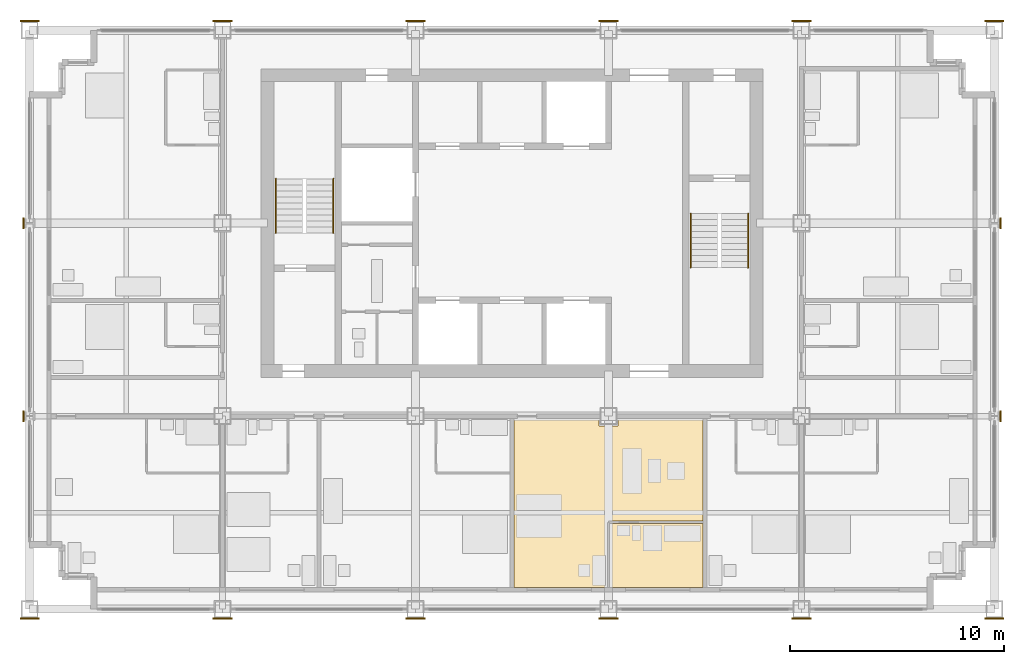
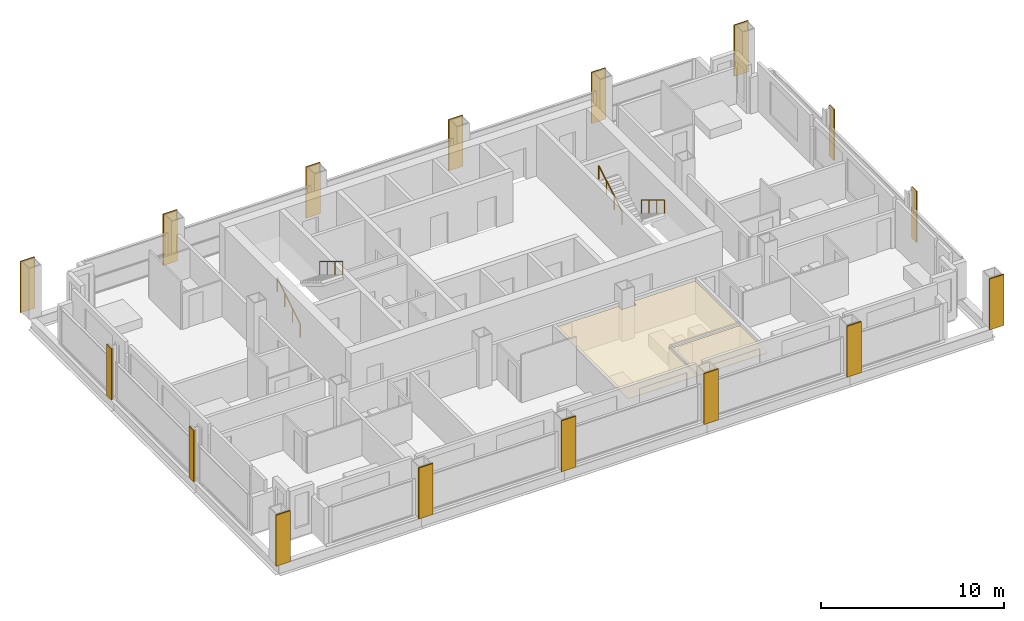
# One storey, part 11 of 13: 18 coverings, 4 railings.
"""IFC4 building model written with IfcOpenShell, lengths in metres."""

from ifc_helpers import new_model, si_unit, direction, frame, origin, origin_2d, place, context, subcontext, project, spatial, polyline, rectangle, circle, outline, extrude, material, layer, layer_set, type_object, element, save


model = new_model("IFC4")

# Units and contexts
model_context = context("Model", 3, precision=1e-05, world=origin(), true_north=direction((0.0, 1.0)))
body_context = subcontext(model_context, "Body", "Model", "MODEL_VIEW")
ifc_project = project(units=[si_unit("LENGTHUNIT", "METRE"), si_unit("AREAUNIT", "SQUARE_METRE"), si_unit("VOLUMEUNIT", "CUBIC_METRE"), si_unit("PLANEANGLEUNIT", "RADIAN"), si_unit("MASSUNIT", "GRAM", prefix="KILO")], contexts=[model_context])

# Site, building, storey
site_placement = place(None, origin())
site = spatial("IfcSite", under=ifc_project, at=site_placement, CompositionType="ELEMENT")
building_placement = place(site_placement, origin())
building = spatial("IfcBuilding", under=site, at=building_placement, Name="Loomwork Tower", CompositionType="ELEMENT")
storey_placement = place(building_placement, frame((0.0, 0.0, 208.0)))
storey = spatial("IfcBuildingStorey", under=building, at=storey_placement, Name="L57", CompositionType="ELEMENT", Elevation=208.0)

# Railings
ifc_material_1 = material(Name="Stainless steel handrail", Category="steel")
railing_type = type_object("IfcRailingType", Name="Handrail 900", PredefinedType="HANDRAIL", material=ifc_material_1)
railing_1_placement = place(storey_placement, frame((11.485107421875, 17.550048828125, 0.169921875)))
element("IfcRailing", 1, at=railing_1_placement, inside=storey, type_object=railing_type, Name="Stair A handrail flight 1 L57", PredefinedType="HANDRAIL", context=body_context, shape_type="SweptSolid", body=[
    extrude(circle(Radius=0.02392578125, at=origin_2d()), frame((0.0, 0.0, 0.8759765625), z_axis=(0.0, 0.85478489116, 0.518982456201), x_axis=(-1.0, 0.0, 0.0)), (0.0, 0.0, 1.0), 2.9482421875),
    extrude(circle(Radius=0.02099609375, at=origin_2d()), origin(), (0.0, 0.0, 1.0), 0.851806640625),
    extrude(circle(Radius=0.02099609375, at=origin_2d()), frame((0.0, 0.840087890625, 0.510009765625)), (0.0, 0.0, 1.0), 0.851806640625),
    extrude(circle(Radius=0.02099609375, at=origin_2d()), frame((0.0, 1.679931640625, 1.02001953125)), (0.0, 0.0, 1.0), 0.851806640625),
    extrude(circle(Radius=0.02099609375, at=origin_2d()), frame((0.0, 2.52001953125, 1.530029296875)), (0.0, 0.0, 1.0), 0.851806640625),
])
railing_2_placement = place(storey_placement, frame((14.1650390625, 20.070068359375, 1.8701171875)))
element("IfcRailing", 2, at=railing_2_placement, inside=storey, type_object=railing_type, Name="Stair A handrail flight 2 L57", PredefinedType="HANDRAIL", context=body_context, shape_type="SweptSolid", body=[
    extrude(circle(Radius=0.02392578125, at=origin_2d()), frame((0.0, 0.0, 0.8759765625), z_axis=(0.0, -0.854821627497, 0.518921945155), x_axis=(1.0, 0.0, 0.0)), (0.0, 0.0, 1.0), 2.947998046875),
    extrude(circle(Radius=0.02099609375, at=origin_2d()), origin(), (0.0, 0.0, 1.0), 0.851806640625),
    extrude(circle(Radius=0.02099609375, at=origin_2d()), frame((0.0, -0.840087890625, 0.510009765625)), (0.0, 0.0, 1.0), 0.851806640625),
    extrude(circle(Radius=0.02099609375, at=origin_2d()), frame((0.0, -1.679931640625, 1.019775390625)), (0.0, 0.0, 1.0), 0.851806640625),
    extrude(circle(Radius=0.02099609375, at=origin_2d()), frame((0.0, -2.52001953125, 1.52978515625)), (0.0, 0.0, 1.0), 0.851806640625),
])
railing_3_placement = place(storey_placement, frame((33.514892578125, 18.449951171875, 0.169921875)))
element("IfcRailing", 3, at=railing_3_placement, inside=storey, type_object=railing_type, Name="Stair B handrail flight 1 L57", PredefinedType="HANDRAIL", context=body_context, shape_type="SweptSolid", body=[
    extrude(circle(Radius=0.02392578125, at=origin_2d()), frame((0.0, 0.0, 0.8759765625), z_axis=(0.0, -0.85478489116, 0.518982456201), x_axis=(1.0, 0.0, 0.0)), (0.0, 0.0, 1.0), 2.9482421875),
    extrude(circle(Radius=0.02099609375, at=origin_2d()), origin(), (0.0, 0.0, 1.0), 0.851806640625),
    extrude(circle(Radius=0.02099609375, at=origin_2d()), frame((0.0, -0.840087890625, 0.510009765625)), (0.0, 0.0, 1.0), 0.851806640625),
    extrude(circle(Radius=0.02099609375, at=origin_2d()), frame((0.0, -1.679931640625, 1.02001953125)), (0.0, 0.0, 1.0), 0.851806640625),
    extrude(circle(Radius=0.02099609375, at=origin_2d()), frame((0.0, -2.52001953125, 1.530029296875)), (0.0, 0.0, 1.0), 0.851806640625),
])
railing_4_placement = place(storey_placement, frame((30.8349609375, 15.929931640625, 1.8701171875)))
element("IfcRailing", 4, at=railing_4_placement, inside=storey, type_object=railing_type, Name="Stair B handrail flight 2 L57", PredefinedType="HANDRAIL", context=body_context, shape_type="SweptSolid", body=[
    extrude(circle(Radius=0.02392578125, at=origin_2d()), frame((0.0, 0.0, 0.8759765625), z_axis=(0.0, 0.854821627497, 0.518921945155), x_axis=(-1.0, 0.0, 0.0)), (0.0, 0.0, 1.0), 2.947998046875),
    extrude(circle(Radius=0.02099609375, at=origin_2d()), origin(), (0.0, 0.0, 1.0), 0.851806640625),
    extrude(circle(Radius=0.02099609375, at=origin_2d()), frame((0.0, 0.840087890625, 0.510009765625)), (0.0, 0.0, 1.0), 0.851806640625),
    extrude(circle(Radius=0.02099609375, at=origin_2d()), frame((0.0, 1.679931640625, 1.019775390625)), (0.0, 0.0, 1.0), 0.851806640625),
    extrude(circle(Radius=0.02099609375, at=origin_2d()), frame((0.0, 2.52001953125, 1.52978515625)), (0.0, 0.0, 1.0), 0.851806640625),
])

# Coverings
ifc_material_2 = material(Name="Limestone", Category="masonry")
ifc_layer_1 = layer(ifc_material_2, 0.080078125)
ifc_layer_set_1 = layer_set([ifc_layer_1], Name="Limestone pier facing 80")
covering_type_1 = type_object("IfcCoveringType", Name="Limestone pier facing 80", PredefinedType="CLADDING", material=ifc_layer_set_1)
covering_1_placement = place(storey_placement, frame((0.0, -0.43994140625, 0.0), z_axis=(0.0, 0.0, 1.0), x_axis=(1.0, 0.0, 0.0)))
element("IfcCovering", 5, at=covering_1_placement, inside=storey, type_object=covering_type_1, Name="Pier facing D/2 L57", PredefinedType="CLADDING", context=body_context, shape_type="SweptSolid", body=[
    extrude(rectangle(XDim=0.89990234375, YDim=0.080078125, at=origin_2d()), origin(), (0.0, 0.0, 1.0), 3.39990234375),
])
for number, where, z_axis, x_axis, name in (
    (6, (-0.28125, 9.0, 0.0), (0.0, 0.0, 1.0), (1.0, 0.0, 0.0), "Pier facing E/2 L57"),
    (7, (-0.28125, 18.0, 0.0), (0.0, 0.0, 1.0), (1.0, 0.0, 0.0), "Pier facing F/2 L57"),
):
    element("IfcCovering", number, at=place(storey_placement, frame(where, z_axis=z_axis, x_axis=x_axis)), inside=storey, type_object=covering_type_1, Name=name, PredefinedType="CLADDING", context=body_context, shape_type="SweptSolid", body=[
        extrude(rectangle(XDim=0.080078125, YDim=0.526611328125, at=origin_2d()), origin(), (0.0, 0.0, 1.0), 3.39990234375),
    ])
for number, where, z_axis, x_axis, name in (
    (8, (0.0, 27.43994140625, 0.0), (0.0, 0.0, 1.0), (1.0, 0.0, 0.0), "Pier facing G/2 L57"),
    (9, (9.0, -0.43994140625, 0.0), (0.0, 0.0, 1.0), (1.0, 0.0, 0.0), "Pier facing D/3 L57"),
    (10, (9.0, 27.43994140625, 0.0), (0.0, 0.0, 1.0), (1.0, 0.0, 0.0), "Pier facing G/3 L57"),
    (11, (18.0, -0.43994140625, 0.0), (0.0, 0.0, 1.0), (1.0, 0.0, 0.0), "Pier facing D/4 L57"),
    (12, (18.0, 27.43994140625, 0.0), (0.0, 0.0, 1.0), (1.0, 0.0, 0.0), "Pier facing G/4 L57"),
    (13, (27.0, -0.43994140625, 0.0), (0.0, 0.0, 1.0), (1.0, 0.0, 0.0), "Pier facing D/5 L57"),
    (14, (27.0, 27.43994140625, 0.0), (0.0, 0.0, 1.0), (1.0, 0.0, 0.0), "Pier facing G/5 L57"),
    (15, (36.0, -0.43994140625, 0.0), (0.0, 0.0, 1.0), (1.0, 0.0, 0.0), "Pier facing D/6 L57"),
    (16, (36.0, 27.43994140625, 0.0), (0.0, 0.0, 1.0), (1.0, 0.0, 0.0), "Pier facing G/6 L57"),
    (17, (45.0, -0.43994140625, 0.0), (0.0, 0.0, 1.0), (1.0, 0.0, 0.0), "Pier facing D/7 L57"),
):
    element("IfcCovering", number, at=place(storey_placement, frame(where, z_axis=z_axis, x_axis=x_axis)), inside=storey, type_object=covering_type_1, Name=name, PredefinedType="CLADDING", context=body_context, shape_type="SweptSolid", body=[
        extrude(rectangle(XDim=0.89990234375, YDim=0.080078125, at=origin_2d()), origin(), (0.0, 0.0, 1.0), 3.39990234375),
    ])
for number, where, z_axis, x_axis, name in (
    (18, (45.28125, 9.0, 0.0), (0.0, 0.0, 1.0), (1.0, 0.0, 0.0), "Pier facing E/7 L57"),
    (19, (45.28125, 18.0, 0.0), (0.0, 0.0, 1.0), (1.0, 0.0, 0.0), "Pier facing F/7 L57"),
):
    element("IfcCovering", number, at=place(storey_placement, frame(where, z_axis=z_axis, x_axis=x_axis)), inside=storey, type_object=covering_type_1, Name=name, PredefinedType="CLADDING", context=body_context, shape_type="SweptSolid", body=[
        extrude(rectangle(XDim=0.080078125, YDim=0.526611328125, at=origin_2d()), origin(), (0.0, 0.0, 1.0), 3.39990234375),
    ])
covering_2_placement = place(storey_placement, frame((45.0, 27.43994140625, 0.0), z_axis=(0.0, 0.0, 1.0), x_axis=(1.0, 0.0, 0.0)))
element("IfcCovering", 20, at=covering_2_placement, inside=storey, type_object=covering_type_1, Name="Pier facing G/7 L57", PredefinedType="CLADDING", context=body_context, shape_type="SweptSolid", body=[
    extrude(rectangle(XDim=0.89990234375, YDim=0.080078125, at=origin_2d()), origin(), (0.0, 0.0, 1.0), 3.39990234375),
])
ifc_material_3 = material(Name="Mineral fibre acoustic tile on suspension grid")
ifc_layer_2 = layer(ifc_material_3, 0.02490234375)
ifc_layer_set_2 = layer_set([ifc_layer_2], Name="Suspended acoustic ceiling")
covering_type_2 = type_object("IfcCoveringType", Name="Suspended acoustic ceiling", PredefinedType="CEILING", material=ifc_layer_set_2)
covering_3_placement = place(storey_placement, frame((0.0, 0.0, 2.175048828125)))
element("IfcCovering", 21, at=covering_3_placement, inside=storey, type_object=covering_type_2, Name="Ceiling Spa bathroom L57", PredefinedType="CEILING", context=body_context, shape_type="SweptSolid", body=[
    extrude(outline(polyline([(31.39990234375, 4.0), (31.39990234375, 1.0), (27.050048828125, 1.0), (27.050048828125, 4.0), (31.39990234375, 4.0)])), origin(), (0.0, 0.0, 1.0), 0.02490234375),
])
covering_4_placement = place(storey_placement, frame((0.0, 0.0, 2.175048828125)))
element("IfcCovering", 22, at=covering_4_placement, inside=storey, type_object=covering_type_2, Name="Ceiling Spa suite L57", PredefinedType="CEILING", context=body_context, shape_type="SweptSolid", body=[
    extrude(outline(polyline([(26.550048828125, 8.89990234375), (26.550048828125, 8.550048828125), (27.449951171875, 8.550048828125), (27.449951171875, 8.89990234375), (31.39990234375, 8.89990234375), (31.39990234375, 4.10009765625), (26.949951171875, 4.10009765625), (26.949951171875, 1.0), (22.60009765625, 1.0), (22.60009765625, 8.89990234375), (26.550048828125, 8.89990234375)])), origin(), (0.0, 0.0, 1.0), 0.02490234375),
])

save(model, "model.ifc")
